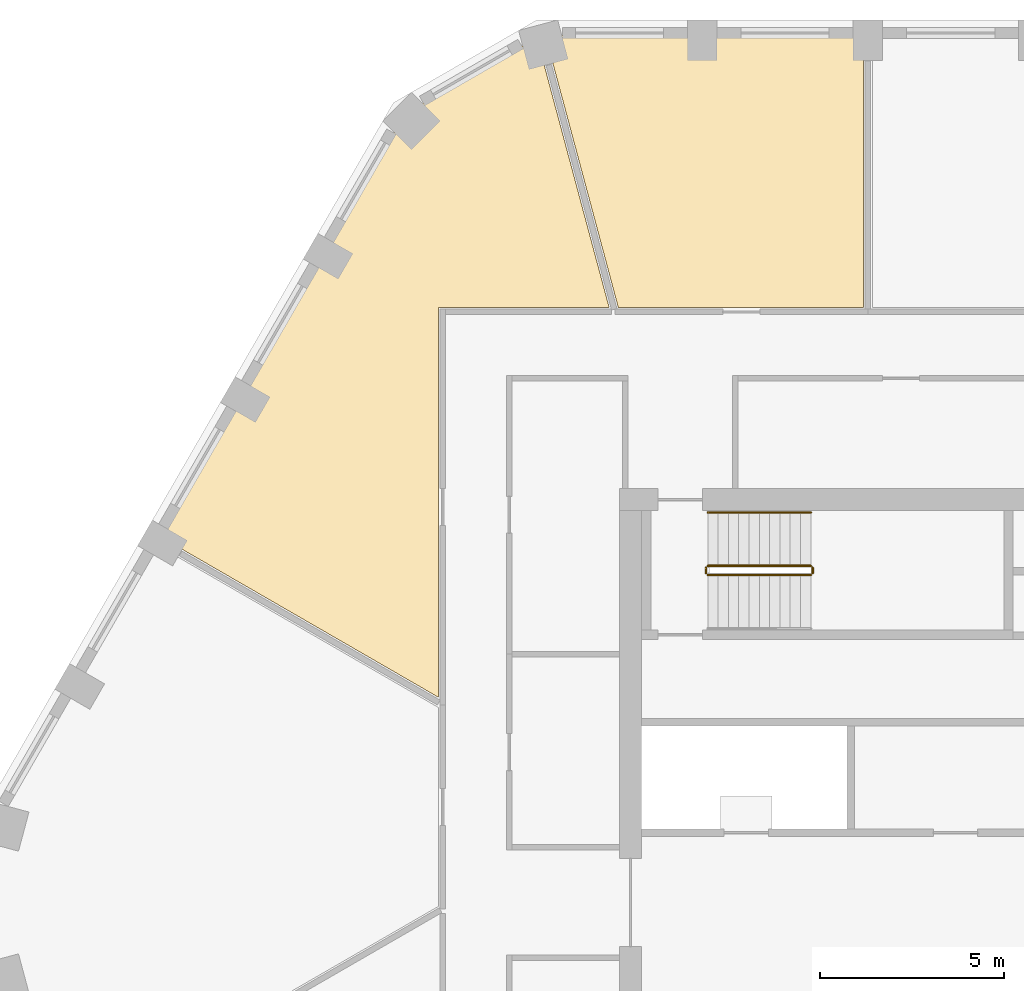
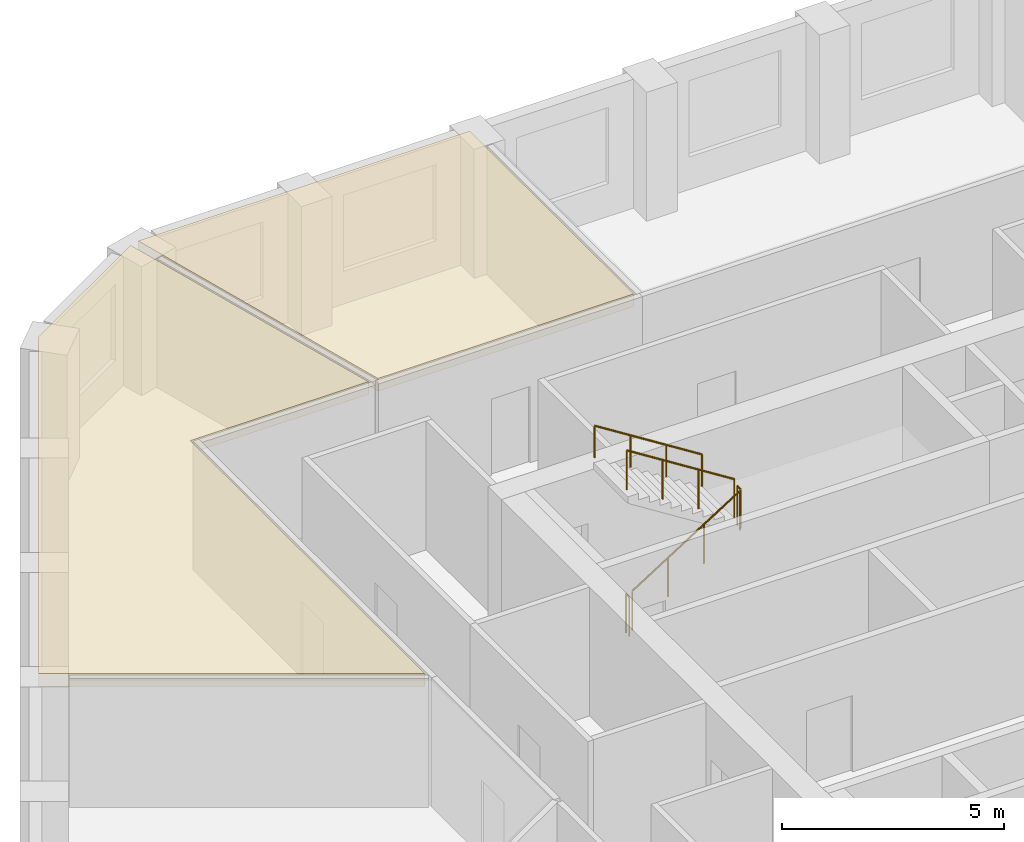
# One storey, part 11 of 13: 5 railings, 2 coverings.
"""IFC4 building model written with IfcOpenShell, lengths in metres."""

from ifc_helpers import new_model, si_unit, direction, frame, origin, origin_2d, place, context, subcontext, project, spatial, polyline, circle, outline, extrude, material, layer, layer_set, type_object, element, save


model = new_model("IFC4")

# Units and contexts
model_context = context("Model", 3, precision=1e-05, world=origin(), true_north=direction((0.0, 1.0)))
body_context = subcontext(model_context, "Body", "Model", "MODEL_VIEW")
ifc_project = project(units=[si_unit("LENGTHUNIT", "METRE"), si_unit("AREAUNIT", "SQUARE_METRE"), si_unit("VOLUMEUNIT", "CUBIC_METRE"), si_unit("PLANEANGLEUNIT", "RADIAN"), si_unit("MASSUNIT", "GRAM", prefix="KILO")], contexts=[model_context])

# Site, building, storey
site_placement = place(None, origin())
site = spatial("IfcSite", under=ifc_project, at=site_placement, CompositionType="ELEMENT")
building_placement = place(site_placement, origin())
building = spatial("IfcBuilding", under=site, at=building_placement, Name="Dhurran Vertical Campus", CompositionType="ELEMENT")
storey_placement = place(building_placement, frame((0.0, 0.0, 187.800048828125)))
storey = spatial("IfcBuildingStorey", under=building, at=storey_placement, Name="L46", CompositionType="ELEMENT", Elevation=187.800048828125)

# Railings
ifc_material_1 = material(Name="Stainless steel balustrade", Category="steel")
railing_type_1 = type_object("IfcRailingType", Name="co-RL-GUARD-1100", PredefinedType="GUARDRAIL", material=ifc_material_1)
railing_1_placement = place(storey_placement, frame((-11.10009765625, 8.89990234375, 0.17724609375)))
element("IfcRailing", 1, at=railing_1_placement, inside=storey, type_object=railing_type_1, Name="L46 ST1 stair guard 1", PredefinedType="GUARDRAIL", context=body_context, shape_type="SweptSolid", body=[
    extrude(circle(Radius=0.02392578125, at=origin_2d()), frame((0.0, 0.0, 1.076171875), z_axis=(0.844908973607, 0.0, 0.534910110503), x_axis=(0.0, 1.0, 0.0)), (0.0, 0.0, 1.0), 3.31396484375),
    extrude(circle(Radius=0.02099609375, at=origin_2d()), origin(), (0.0, 0.0, 1.0), 1.052001953125),
    extrude(circle(Radius=0.02099609375, at=origin_2d()), frame((0.933349609375, 0.0, 0.5908203125)), (0.0, 0.0, 1.0), 1.052001953125),
    extrude(circle(Radius=0.02099609375, at=origin_2d()), frame((1.86669921875, 0.0, 1.181884765625)), (0.0, 0.0, 1.0), 1.052001953125),
    extrude(circle(Radius=0.02099609375, at=origin_2d()), frame((2.800048828125, 0.0, 1.772705078125)), (0.0, 0.0, 1.0), 1.052001953125),
])
railing_2_placement = place(storey_placement, frame((-8.25, 8.949951171875, 1.949951171875)))
element("IfcRailing", 2, at=railing_2_placement, inside=storey, type_object=railing_type_1, Name="L46 ST1 stair guard 2", PredefinedType="GUARDRAIL", context=body_context, shape_type="SweptSolid", body=[
    extrude(circle(Radius=0.02392578125, at=origin_2d()), frame((0.0, 0.0, 1.076171875), z_axis=(0.0, 1.0, 0.0), x_axis=(-1.0, 0.0, 0.0)), (0.0, 0.0, 1.0), 0.150146484375),
    extrude(circle(Radius=0.02099609375, at=origin_2d()), origin(), (0.0, 0.0, 1.0), 1.052001953125),
    extrude(circle(Radius=0.02099609375, at=origin_2d()), frame((0.0, 0.150146484375, 0.0)), (0.0, 0.0, 1.0), 1.052001953125),
])
railing_3_placement = place(storey_placement, frame((-8.300048828125, 9.14990234375, 2.127197265625)))
element("IfcRailing", 3, at=railing_3_placement, inside=storey, type_object=railing_type_1, Name="L46 ST1 stair guard 3", PredefinedType="GUARDRAIL", context=body_context, shape_type="SweptSolid", body=[
    extrude(circle(Radius=0.02392578125, at=origin_2d()), frame((0.0, 0.0, 1.076171875), z_axis=(-0.844908973607, 0.0, 0.534910110503), x_axis=(0.0, -1.0, 0.0)), (0.0, 0.0, 1.0), 3.31396484375),
    extrude(circle(Radius=0.02099609375, at=origin_2d()), origin(), (0.0, 0.0, 1.0), 1.052001953125),
    extrude(circle(Radius=0.02099609375, at=origin_2d()), frame((-0.933349609375, 0.0, 0.5908203125)), (0.0, 0.0, 1.0), 1.052001953125),
    extrude(circle(Radius=0.02099609375, at=origin_2d()), frame((-1.86669921875, 0.0, 1.181884765625)), (0.0, 0.0, 1.0), 1.052001953125),
    extrude(circle(Radius=0.02099609375, at=origin_2d()), frame((-2.800048828125, 0.0, 1.772705078125)), (0.0, 0.0, 1.0), 1.052001953125),
])
railing_4_placement = place(storey_placement, frame((-11.14990234375, 8.949951171875, 0.0)))
element("IfcRailing", 4, at=railing_4_placement, inside=storey, type_object=railing_type_1, Name="L46 ST1 stair guard 4", PredefinedType="GUARDRAIL", context=body_context, shape_type="SweptSolid", body=[
    extrude(circle(Radius=0.02392578125, at=origin_2d()), frame((0.0, 0.0, 1.076171875), z_axis=(0.0, 1.0, 0.0), x_axis=(-1.0, 0.0, 0.0)), (0.0, 0.0, 1.0), 0.150146484375),
    extrude(circle(Radius=0.02099609375, at=origin_2d()), origin(), (0.0, 0.0, 1.0), 1.052001953125),
    extrude(circle(Radius=0.02099609375, at=origin_2d()), frame((0.0, 0.150146484375, 0.0)), (0.0, 0.0, 1.0), 1.052001953125),
])
ifc_material_2 = material(Name="Stainless steel handrail", Category="steel")
railing_type_2 = type_object("IfcRailingType", Name="co-RL-HANDRAIL-900", PredefinedType="HANDRAIL", material=ifc_material_2)
railing_5_placement = place(storey_placement, frame((-8.300048828125, 10.60009765625, 2.127197265625)))
element("IfcRailing", 5, at=railing_5_placement, inside=storey, type_object=railing_type_2, Name="L46 ST1 stair handrail 2", PredefinedType="HANDRAIL", context=body_context, shape_type="SweptSolid", body=[
    extrude(circle(Radius=0.02392578125, at=origin_2d()), frame((0.0, 0.0, 0.8759765625), z_axis=(-0.844908973607, 0.0, 0.534910110503), x_axis=(0.0, -1.0, 0.0)), (0.0, 0.0, 1.0), 3.31396484375),
    extrude(circle(Radius=0.02099609375, at=origin_2d()), origin(), (0.0, 0.0, 1.0), 0.851806640625),
    extrude(circle(Radius=0.02099609375, at=origin_2d()), frame((-0.933349609375, 0.0, 0.5908203125)), (0.0, 0.0, 1.0), 0.851806640625),
    extrude(circle(Radius=0.02099609375, at=origin_2d()), frame((-1.86669921875, 0.0, 1.181884765625)), (0.0, 0.0, 1.0), 0.851806640625),
    extrude(circle(Radius=0.02099609375, at=origin_2d()), frame((-2.800048828125, 0.0, 1.772705078125)), (0.0, 0.0, 1.0), 0.851806640625),
])

# Coverings
ifc_material_3 = material(Name="Mineral fibre ceiling tiles on suspended grid")
ifc_layer = layer(ifc_material_3, 0.35009765625)
ifc_layer_set = layer_set([ifc_layer], Name="Mineral fibre ceiling tiles on suspended grid")
covering_type = type_object("IfcCoveringType", Name="fl-CE-350 suspended ceiling", PredefinedType="CEILING", material=ifc_layer_set)
covering_1_placement = place(storey_placement, frame((0.0, 0.0, 3.199951171875)))
element("IfcCovering", 6, at=covering_1_placement, inside=storey, type_object=covering_type, Name="Ceiling 46-11", PredefinedType="CEILING", context=body_context, shape_type="SweptSolid", body=[
    extrude(outline(polyline([(-25.972900390625, 9.93798828125), (-19.339111328125, 21.427978515625), (-15.7451171875, 23.50390625), (-13.780029296875, 16.169921875), (-18.419921875, 16.169921875), (-18.419921875, 5.576904296875), (-25.972900390625, 9.93798828125)])), origin(), (0.0, 0.0, 1.0), 0.35009765625),
])
covering_2_placement = place(storey_placement, frame((0.0, 0.0, 3.199951171875)))
element("IfcCovering", 7, at=covering_2_placement, inside=storey, type_object=covering_type, Name="Ceiling 46-17", PredefinedType="CEILING", context=body_context, shape_type="SweptSolid", body=[
    extrude(outline(polyline([(-15.513916015625, 23.56591796875), (-6.8701171875, 23.56591796875), (-6.8701171875, 16.169921875), (-13.531982421875, 16.169921875), (-15.513916015625, 23.56591796875)])), origin(), (0.0, 0.0, 1.0), 0.35009765625),
])

save(model, "model.ifc")
